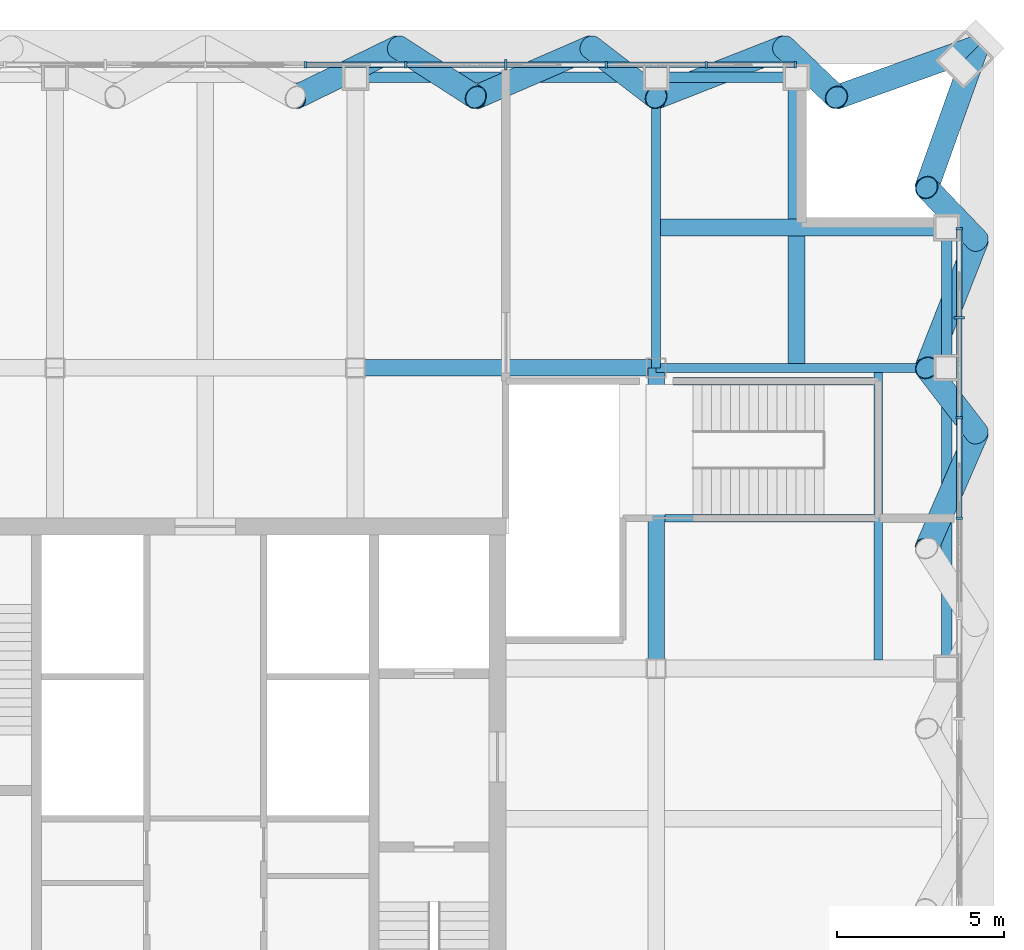
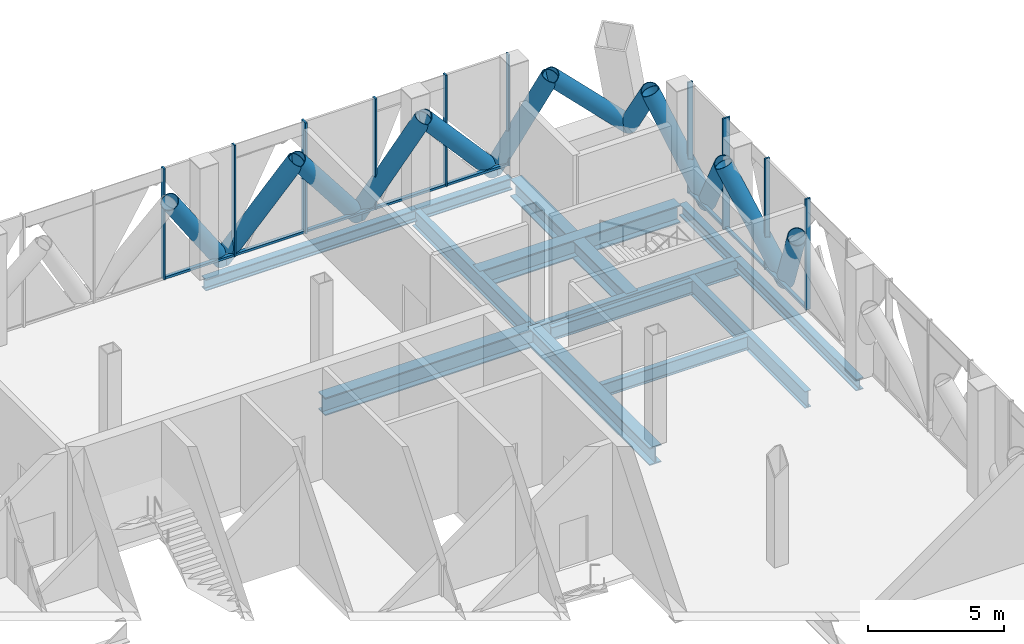
# One storey, part 12 of 27: 30 members, 13 beams, 2 elements without a shape of their own.
"""IFC4 building model written with IfcOpenShell, lengths in metres."""

from ifc_helpers import new_model, si_unit, direction, frame, origin, origin_2d, place, context, subcontext, project, spatial, rectangle, hollow_circle, i_section, extrude, material, layer, layer_set, material_profile, profile_set, type_object, element, aggregate, save


model = new_model("IFC4")

# Units and contexts
model_context = context("Model", 3, precision=1e-05, world=origin(), true_north=direction((0.0, 1.0)))
body_context = subcontext(model_context, "Body", "Model", "MODEL_VIEW")
ifc_project = project(units=[si_unit("LENGTHUNIT", "METRE"), si_unit("AREAUNIT", "SQUARE_METRE"), si_unit("VOLUMEUNIT", "CUBIC_METRE"), si_unit("PLANEANGLEUNIT", "RADIAN"), si_unit("MASSUNIT", "GRAM", prefix="KILO")], contexts=[model_context])

# Site, building, storey
site_placement = place(None, origin())
site = spatial("IfcSite", under=ifc_project, at=site_placement, CompositionType="ELEMENT")
building_placement = place(site_placement, origin())
building = spatial("IfcBuilding", under=site, at=building_placement, Name="Malebo Sky Hospital", CompositionType="ELEMENT")
storey_placement = place(building_placement, frame((0.0, 0.0, 245.0)))
storey = spatial("IfcBuildingStorey", under=building, at=storey_placement, Name="L59", CompositionType="ELEMENT", Elevation=245.0)

# Curtain wall, members
ifc_material_1 = material(Name="Anodised aluminium, natural silver", Category="aluminium")
ifc_layer = layer(ifc_material_1, 0.25)
ifc_layer_set = layer_set([ifc_layer], Name="PLANT LOUVRE SCREEN")
curtain_wall_type = type_object("IfcCurtainWallType", Name="PLANT LOUVRE SCREEN", PredefinedType="NOTDEFINED", material=ifc_layer_set)
curtain_wall_1_placement = place(storey_placement, origin())
curtain_wall_1 = element("IfcCurtainWall", 1, at=curtain_wall_1_placement, inside=storey, type_object=curtain_wall_type, Name="PLANT curtain wall N", PredefinedType="NOTDEFINED")
ifc_material_profile_1 = material_profile(ifc_material_1, rectangle(XDim=0.14990234375, YDim=0.10009765625, at=origin_2d()), Name="ALUMINIUM TRANSOM 150x100")
ifc_profile_set_1 = profile_set([ifc_material_profile_1], Name="Anodised aluminium, natural silver")
member_type_1 = type_object("IfcMemberType", Name="ALUMINIUM TRANSOM 150x100", PredefinedType="USERDEFINED", material=ifc_profile_set_1)
member_1_placement = place(storey_placement, frame((63.03759765625, 84.574951171875, 0.050048828125), z_axis=(1.0, 0.0, 0.0), x_axis=(0.0, 1.0, 0.0)))
member_1 = element("IfcMember", 2, at=member_1_placement, type_object=member_type_1, Name="Transom 8", ObjectType="TRANSOM", PredefinedType="USERDEFINED", context=body_context, shape_type="SweptSolid", body=[
    extrude(rectangle(XDim=0.14990234375, YDim=0.10009765625, at=origin_2d()), origin(), (0.0, 0.0, 1.0), 2.9248046875),
])
member_2_placement = place(storey_placement, frame((66.03759765625, 84.574951171875, 0.050048828125), z_axis=(1.0, 0.0, 0.0), x_axis=(0.0, 1.0, 0.0)))
member_2 = element("IfcMember", 3, at=member_2_placement, type_object=member_type_1, Name="Transom 9", ObjectType="TRANSOM", PredefinedType="USERDEFINED", context=body_context, shape_type="SweptSolid", body=[
    extrude(rectangle(XDim=0.14990234375, YDim=0.10009765625, at=origin_2d()), origin(), (0.0, 0.0, 1.0), 2.9248046875),
])
member_3_placement = place(storey_placement, frame((69.03759765625, 84.574951171875, 0.050048828125), z_axis=(1.0, 0.0, 0.0), x_axis=(0.0, 1.0, 0.0)))
member_3 = element("IfcMember", 4, at=member_3_placement, type_object=member_type_1, Name="Transom 10", ObjectType="TRANSOM", PredefinedType="USERDEFINED", context=body_context, shape_type="SweptSolid", body=[
    extrude(rectangle(XDim=0.14990234375, YDim=0.10009765625, at=origin_2d()), origin(), (0.0, 0.0, 1.0), 2.9248046875),
])
member_4_placement = place(storey_placement, frame((72.03759765625, 84.574951171875, 0.050048828125), z_axis=(1.0, 0.0, 0.0), x_axis=(0.0, 1.0, 0.0)))
member_4 = element("IfcMember", 5, at=member_4_placement, type_object=member_type_1, Name="Transom 11", ObjectType="TRANSOM", PredefinedType="USERDEFINED", context=body_context, shape_type="SweptSolid", body=[
    extrude(rectangle(XDim=0.14990234375, YDim=0.10009765625, at=origin_2d()), origin(), (0.0, 0.0, 1.0), 2.9248046875),
])
member_5_placement = place(storey_placement, frame((75.03759765625, 84.574951171875, 0.050048828125), z_axis=(1.0, 0.0, 0.0), x_axis=(0.0, 1.0, 0.0)))
member_5 = element("IfcMember", 6, at=member_5_placement, type_object=member_type_1, Name="Transom 12", ObjectType="TRANSOM", PredefinedType="USERDEFINED", context=body_context, shape_type="SweptSolid", body=[
    extrude(rectangle(XDim=0.14990234375, YDim=0.10009765625, at=origin_2d()), origin(), (0.0, 0.0, 1.0), 2.58740234375),
])

curtain_wall_2_placement = place(storey_placement, origin())
curtain_wall_2 = element("IfcCurtainWall", 7, at=curtain_wall_2_placement, inside=storey, type_object=curtain_wall_type, Name="PLANT curtain wall E", PredefinedType="NOTDEFINED")
member_6_placement = place(storey_placement, frame((82.574951171875, 79.625, 0.050048828125), z_axis=(0.0, -1.0, 0.0), x_axis=(1.0, 0.0, 0.0)))
member_6 = element("IfcMember", 8, at=member_6_placement, type_object=member_type_1, Name="Transom 1", ObjectType="TRANSOM", PredefinedType="USERDEFINED", context=body_context, shape_type="SweptSolid", body=[
    extrude(rectangle(XDim=0.14990234375, YDim=0.10009765625, at=origin_2d()), origin(), (0.0, 0.0, 1.0), 2.58740234375),
])
member_7_placement = place(storey_placement, frame((82.574951171875, 76.96240234375, 0.050048828125), z_axis=(0.0, -1.0, 0.0), x_axis=(1.0, 0.0, 0.0)))
member_7 = element("IfcMember", 9, at=member_7_placement, type_object=member_type_1, Name="Transom 2", ObjectType="TRANSOM", PredefinedType="USERDEFINED", context=body_context, shape_type="SweptSolid", body=[
    extrude(rectangle(XDim=0.14990234375, YDim=0.10009765625, at=origin_2d()), origin(), (0.0, 0.0, 1.0), 2.9248046875),
])
member_8_placement = place(storey_placement, frame((82.574951171875, 73.96240234375, 0.050048828125), z_axis=(0.0, -1.0, 0.0), x_axis=(1.0, 0.0, 0.0)))
member_8 = element("IfcMember", 10, at=member_8_placement, type_object=member_type_1, Name="Transom 3", ObjectType="TRANSOM", PredefinedType="USERDEFINED", context=body_context, shape_type="SweptSolid", body=[
    extrude(rectangle(XDim=0.14990234375, YDim=0.10009765625, at=origin_2d()), origin(), (0.0, 0.0, 1.0), 2.9248046875),
])

# Members
ifc_material_2 = material(Name="Steel S460", Category="steel")
ifc_material_profile_2 = material_profile(ifc_material_2, hollow_circle(Radius=0.35546875, WallThickness=0.02490234375, at=origin_2d()), Name="CHS 711x25")
ifc_profile_set_2 = profile_set([ifc_material_profile_2], Name="Steel S460")
member_type_2 = type_object("IfcMemberType", Name="BELT TRUSS DIAGONAL CHS 711x25", PredefinedType="BRACE", material=ifc_profile_set_2)
member_9_placement = place(storey_placement, frame((83.10009765625, 85.10009765625, -0.39990234375), z_axis=(-0.659245717391, -0.235433950689, 0.714118994961), x_axis=(0.336322526194, -0.941746865338, 0.0)))
element("IfcMember", 11, at=member_9_placement, inside=storey, type_object=member_type_2, Name="Belt truss diagonal N1.1 L59", PredefinedType="BRACE", context=body_context, shape_type="SweptSolid", body=[
    extrude(hollow_circle(Radius=0.35546875, WallThickness=0.02490234375, at=origin_2d()), origin(), (0.0, 0.0, 1.0), 6.37109375),
])
member_10_placement = place(storey_placement, frame((78.89990234375, 83.60009765625, 4.14990234375), z_axis=(-0.312308438875, 0.297445829863, -0.90221362066), x_axis=(-0.689666384023, -0.724127253146, 0.0)))
element("IfcMember", 12, at=member_10_placement, inside=storey, type_object=member_type_2, Name="Belt truss diagonal N1.2 L59", PredefinedType="BRACE", context=body_context, shape_type="SweptSolid", body=[
    extrude(hollow_circle(Radius=0.35546875, WallThickness=0.02490234375, at=origin_2d()), origin(), (0.0, 0.0, 1.0), 5.04296875),
])
member_11_placement = place(storey_placement, frame((77.324951171875, 85.10009765625, -0.39990234375), z_axis=(-0.623938635295, -0.244684941294, 0.742179128573), x_axis=(0.365091568196, -0.930971614408, 0.0)))
element("IfcMember", 13, at=member_11_placement, inside=storey, type_object=member_type_2, Name="Belt truss diagonal N2.1 L59", PredefinedType="BRACE", context=body_context, shape_type="SweptSolid", body=[
    extrude(hollow_circle(Radius=0.35546875, WallThickness=0.02490234375, at=origin_2d()), origin(), (0.0, 0.0, 1.0), 6.13037109375),
])
member_12_placement = place(storey_placement, frame((73.5, 83.60009765625, 4.14990234375), z_axis=(-0.376996423186, 0.290004510336, -0.879642587015), x_axis=(-0.609720352615, -0.792616610731, 0.0)))
element("IfcMember", 14, at=member_12_placement, inside=storey, type_object=member_type_2, Name="Belt truss diagonal N2.2 L59", PredefinedType="BRACE", context=body_context, shape_type="SweptSolid", body=[
    extrude(hollow_circle(Radius=0.35546875, WallThickness=0.02490234375, at=origin_2d()), origin(), (0.0, 0.0, 1.0), 5.17236328125),
])
member_13_placement = place(storey_placement, frame((71.550048828125, 85.10009765625, -0.39990234375), z_axis=(-0.584377622099, -0.254080823026, 0.770678746405), x_axis=(0.398730857498, -0.917067992724, 0.0)))
element("IfcMember", 15, at=member_13_placement, inside=storey, type_object=member_type_2, Name="Belt truss diagonal N3.1 L59", PredefinedType="BRACE", context=body_context, shape_type="SweptSolid", body=[
    extrude(hollow_circle(Radius=0.35546875, WallThickness=0.02490234375, at=origin_2d()), origin(), (0.0, 0.0, 1.0), 5.903564453125),
])
member_14_placement = place(storey_placement, frame((68.10009765625, 83.60009765625, 4.14990234375), z_axis=(-0.436643839632, 0.281682040183, -0.854398844539), x_axis=(-0.542094714499, -0.840317392723, 0.0)))
element("IfcMember", 16, at=member_14_placement, inside=storey, type_object=member_type_2, Name="Belt truss diagonal N3.2 L59", PredefinedType="BRACE", context=body_context, shape_type="SweptSolid", body=[
    extrude(hollow_circle(Radius=0.35546875, WallThickness=0.02490234375, at=origin_2d()), origin(), (0.0, 0.0, 1.0), 5.3251953125),
])
member_15_placement = place(storey_placement, frame((65.77490234375, 85.10009765625, -0.39990234375), z_axis=(-0.540163447452, -0.263498548721, 0.799244621414), x_axis=(0.438429255686, -0.898765702371, 0.0)))
element("IfcMember", 17, at=member_15_placement, inside=storey, type_object=member_type_2, Name="Belt truss diagonal N4.1 L59", PredefinedType="BRACE", context=body_context, shape_type="SweptSolid", body=[
    extrude(hollow_circle(Radius=0.35546875, WallThickness=0.02490234375, at=origin_2d()), origin(), (0.0, 0.0, 1.0), 5.692626953125),
])
member_16_placement = place(storey_placement, frame((81.60009765625, 70.10009765625, 4.14990234375), z_axis=(0.254080823026, 0.584377622099, -0.770678746405), x_axis=(-0.917067992724, 0.398730857498, 0.0)))
element("IfcMember", 18, at=member_16_placement, inside=storey, type_object=member_type_2, Name="Belt truss diagonal E6.2 L59", PredefinedType="BRACE", context=body_context, shape_type="SweptSolid", body=[
    extrude(hollow_circle(Radius=0.35546875, WallThickness=0.02490234375, at=origin_2d()), origin(), (0.0, 0.0, 1.0), 5.903564453125),
])
member_17_placement = place(storey_placement, frame((83.10009765625, 73.550048828125, -0.39990234375), z_axis=(-0.290004510336, 0.376996423186, 0.879642587015), x_axis=(-0.792616610731, -0.609720352615, 0.0)))
element("IfcMember", 19, at=member_17_placement, inside=storey, type_object=member_type_2, Name="Belt truss diagonal E7.1 L59", PredefinedType="BRACE", context=body_context, shape_type="SweptSolid", body=[
    extrude(hollow_circle(Radius=0.35546875, WallThickness=0.02490234375, at=origin_2d()), origin(), (0.0, 0.0, 1.0), 5.17236328125),
])
member_18_placement = place(storey_placement, frame((81.60009765625, 75.5, 4.14990234375), z_axis=(0.244684941294, 0.623938635295, -0.742179128573), x_axis=(-0.930971614408, 0.365091568196, 0.0)))
element("IfcMember", 20, at=member_18_placement, inside=storey, type_object=member_type_2, Name="Belt truss diagonal E7.2 L59", PredefinedType="BRACE", context=body_context, shape_type="SweptSolid", body=[
    extrude(hollow_circle(Radius=0.35546875, WallThickness=0.02490234375, at=origin_2d()), origin(), (0.0, 0.0, 1.0), 6.13037109375),
])
member_19_placement = place(storey_placement, frame((83.10009765625, 79.324951171875, -0.39990234375), z_axis=(-0.297445829863, 0.312308438875, 0.90221362066), x_axis=(-0.724127253146, -0.689666384023, 0.0)))
element("IfcMember", 21, at=member_19_placement, inside=storey, type_object=member_type_2, Name="Belt truss diagonal E8.1 L59", PredefinedType="BRACE", context=body_context, shape_type="SweptSolid", body=[
    extrude(hollow_circle(Radius=0.35546875, WallThickness=0.02490234375, at=origin_2d()), origin(), (0.0, 0.0, 1.0), 5.04296875),
])
member_20_placement = place(storey_placement, frame((81.60009765625, 80.89990234375, 4.14990234375), z_axis=(0.235433950689, 0.659245717391, -0.714118994961), x_axis=(-0.941746865338, 0.336322526194, 0.0)))
element("IfcMember", 22, at=member_20_placement, inside=storey, type_object=member_type_2, Name="Belt truss diagonal E8.2 L59", PredefinedType="BRACE", context=body_context, shape_type="SweptSolid", body=[
    extrude(hollow_circle(Radius=0.35546875, WallThickness=0.02490234375, at=origin_2d()), origin(), (0.0, 0.0, 1.0), 6.37109375),
])

# Member
ifc_material_profile_3 = material_profile(ifc_material_1, rectangle(XDim=0.074951171875, YDim=0.199951171875, at=origin_2d()), Name="CW5 ALUMINIUM FIN MULLION 75x200")
ifc_profile_set_3 = profile_set([ifc_material_profile_3], Name="Anodised aluminium, natural silver")
member_type_3 = type_object("IfcMemberType", Name="CW5 ALUMINIUM FIN MULLION 75x200", PredefinedType="MULLION", material=ifc_profile_set_3)
member_21_placement = place(storey_placement, frame((63.0, 84.574951171875, 0.0), z_axis=(0.0, 0.0, 1.0), x_axis=(1.0, 0.0, 0.0)))
member_21 = element("IfcMember", 23, at=member_21_placement, type_object=member_type_3, Name="Fin mullion 8", PredefinedType="MULLION", context=body_context, shape_type="SweptSolid", body=[
    extrude(rectangle(XDim=0.074951171875, YDim=0.199951171875, at=origin_2d()), origin(), (0.0, 0.0, 1.0), 5.0),
])

member_22_placement = place(storey_placement, frame((66.0, 84.574951171875, 0.0), z_axis=(0.0, 0.0, 1.0), x_axis=(1.0, 0.0, 0.0)))
member_22 = element("IfcMember", 24, at=member_22_placement, type_object=member_type_3, Name="Fin mullion 9", PredefinedType="MULLION", context=body_context, shape_type="SweptSolid", body=[
    extrude(rectangle(XDim=0.074951171875, YDim=0.199951171875, at=origin_2d()), origin(), (0.0, 0.0, 1.0), 5.0),
])

member_23_placement = place(storey_placement, frame((72.0, 84.574951171875, 0.0), z_axis=(0.0, 0.0, 1.0), x_axis=(1.0, 0.0, 0.0)))
member_23 = element("IfcMember", 25, at=member_23_placement, type_object=member_type_3, Name="Fin mullion 11", PredefinedType="MULLION", context=body_context, shape_type="SweptSolid", body=[
    extrude(rectangle(XDim=0.074951171875, YDim=0.199951171875, at=origin_2d()), origin(), (0.0, 0.0, 1.0), 5.0),
])

member_24_placement = place(storey_placement, frame((75.0, 84.574951171875, 0.0), z_axis=(0.0, 0.0, 1.0), x_axis=(1.0, 0.0, 0.0)))
member_24 = element("IfcMember", 26, at=member_24_placement, type_object=member_type_3, Name="Fin mullion 12", PredefinedType="MULLION", context=body_context, shape_type="SweptSolid", body=[
    extrude(rectangle(XDim=0.074951171875, YDim=0.199951171875, at=origin_2d()), origin(), (0.0, 0.0, 1.0), 5.0),
])

member_25_placement = place(storey_placement, frame((77.66259765625, 84.574951171875, 0.0), z_axis=(0.0, 0.0, 1.0), x_axis=(1.0, 0.0, 0.0)))
member_25 = element("IfcMember", 27, at=member_25_placement, type_object=member_type_3, Name="Fin mullion 13", PredefinedType="MULLION", context=body_context, shape_type="SweptSolid", body=[
    extrude(rectangle(XDim=0.074951171875, YDim=0.199951171875, at=origin_2d()), origin(), (0.0, 0.0, 1.0), 5.0),
])

member_26_placement = place(storey_placement, frame((82.574951171875, 79.66259765625, 0.0), z_axis=(0.0, 0.0, 1.0), x_axis=(0.0, -1.0, 0.0)))
member_26 = element("IfcMember", 28, at=member_26_placement, type_object=member_type_3, Name="Fin mullion 1", PredefinedType="MULLION", context=body_context, shape_type="SweptSolid", body=[
    extrude(rectangle(XDim=0.074951171875, YDim=0.199951171875, at=origin_2d()), origin(), (0.0, 0.0, 1.0), 5.0),
])

member_27_placement = place(storey_placement, frame((82.574951171875, 74.0, 0.0), z_axis=(0.0, 0.0, 1.0), x_axis=(0.0, -1.0, 0.0)))
member_27 = element("IfcMember", 29, at=member_27_placement, type_object=member_type_3, Name="Fin mullion 3", PredefinedType="MULLION", context=body_context, shape_type="SweptSolid", body=[
    extrude(rectangle(XDim=0.074951171875, YDim=0.199951171875, at=origin_2d()), origin(), (0.0, 0.0, 1.0), 5.0),
])

member_28_placement = place(storey_placement, frame((82.574951171875, 71.0, 0.0), z_axis=(0.0, 0.0, 1.0), x_axis=(0.0, -1.0, 0.0)))
member_28 = element("IfcMember", 30, at=member_28_placement, type_object=member_type_3, Name="Fin mullion 4", PredefinedType="MULLION", context=body_context, shape_type="SweptSolid", body=[
    extrude(rectangle(XDim=0.074951171875, YDim=0.199951171875, at=origin_2d()), origin(), (0.0, 0.0, 1.0), 5.0),
])

ifc_material_profile_4 = material_profile(ifc_material_1, rectangle(XDim=0.074951171875, YDim=0.300048828125, at=origin_2d()), Name="CW5 ALUMINIUM FIN MULLION 75x300")
ifc_profile_set_4 = profile_set([ifc_material_profile_4], Name="Anodised aluminium, natural silver")
member_type_4 = type_object("IfcMemberType", Name="CW5 ALUMINIUM FIN MULLION 75x300", PredefinedType="MULLION", material=ifc_profile_set_4)
member_29_placement = place(storey_placement, frame((69.0, 84.574951171875, 0.0), z_axis=(0.0, 0.0, 1.0), x_axis=(1.0, 0.0, 0.0)))
member_29 = element("IfcMember", 31, at=member_29_placement, type_object=member_type_4, Name="Fin mullion 10", PredefinedType="MULLION", context=body_context, shape_type="SweptSolid", body=[
    extrude(rectangle(XDim=0.074951171875, YDim=0.300048828125, at=origin_2d()), origin(), (0.0, 0.0, 1.0), 5.0),
])

aggregate(curtain_wall_1, [member_21, member_22, member_29, member_23, member_24, member_25, member_1, member_2, member_3, member_4, member_5])

member_30_placement = place(storey_placement, frame((82.574951171875, 77.0, 0.0), z_axis=(0.0, 0.0, 1.0), x_axis=(0.0, -1.0, 0.0)))
member_30 = element("IfcMember", 32, at=member_30_placement, type_object=member_type_4, Name="Fin mullion 2", PredefinedType="MULLION", context=body_context, shape_type="SweptSolid", body=[
    extrude(rectangle(XDim=0.074951171875, YDim=0.300048828125, at=origin_2d()), origin(), (0.0, 0.0, 1.0), 5.0),
])

aggregate(curtain_wall_2, [member_26, member_30, member_27, member_28, member_6, member_7, member_8])

# Beams
ifc_material_3 = material(Name="Steel S355", Category="steel")
ifc_material_profile_5 = material_profile(ifc_material_3, i_section(OverallWidth=0.305908203125, OverallDepth=0.52392578125, WebThickness=0.02099609375, FlangeThickness=0.0400390625, FilletRadius=0.027099609375, at=origin_2d()), Name="HEM 500")
ifc_profile_set_5 = profile_set([ifc_material_profile_5], Name="Steel S355")
beam_type_1 = type_object("IfcBeamType", Name="EDGE BEAM HEM 500", PredefinedType="BEAM", material=ifc_profile_set_5)
beam_1_placement = place(storey_placement, frame((82.199951171875, 66.5, -0.511962890625), z_axis=(0.0, 1.0, 0.0), x_axis=(-1.0, 0.0, 0.0)))
element("IfcBeam", 33, at=beam_1_placement, inside=storey, type_object=beam_type_1, Name="Beam 032 L59", PredefinedType="BEAM", context=body_context, shape_type="SweptSolid", body=[
    extrude(i_section(OverallWidth=0.305908203125, OverallDepth=0.52392578125, WebThickness=0.02099609375, FlangeThickness=0.0400390625, FilletRadius=0.027099609375, at=origin_2d()), origin(), (0.0, 0.0, 1.0), 9.0),
])
beam_2_placement = place(storey_placement, frame((82.199951171875, 75.5, -0.511962890625), z_axis=(0.0, 1.0, 0.0), x_axis=(-1.0, 0.0, 0.0)))
element("IfcBeam", 34, at=beam_2_placement, inside=storey, type_object=beam_type_1, Name="Beam 033 L59", PredefinedType="BEAM", context=body_context, shape_type="SweptSolid", body=[
    extrude(i_section(OverallWidth=0.305908203125, OverallDepth=0.52392578125, WebThickness=0.02099609375, FlangeThickness=0.0400390625, FilletRadius=0.027099609375, at=origin_2d()), origin(), (0.0, 0.0, 1.0), 4.050048828125),
])
beam_3_placement = place(storey_placement, frame((64.5, 84.199951171875, -0.511962890625), z_axis=(1.0, 0.0, 0.0), x_axis=(0.0, 1.0, 0.0)))
element("IfcBeam", 35, at=beam_3_placement, inside=storey, type_object=beam_type_1, Name="Beam 066 L59", PredefinedType="BEAM", context=body_context, shape_type="SweptSolid", body=[
    extrude(i_section(OverallWidth=0.305908203125, OverallDepth=0.52392578125, WebThickness=0.02099609375, FlangeThickness=0.0400390625, FilletRadius=0.027099609375, at=origin_2d()), origin(), (0.0, 0.0, 1.0), 9.0),
])
beam_4_placement = place(storey_placement, frame((73.5, 84.199951171875, -0.511962890625), z_axis=(1.0, 0.0, 0.0), x_axis=(0.0, 1.0, 0.0)))
element("IfcBeam", 36, at=beam_4_placement, inside=storey, type_object=beam_type_1, Name="Beam 067 L59", PredefinedType="BEAM", context=body_context, shape_type="SweptSolid", body=[
    extrude(i_section(OverallWidth=0.305908203125, OverallDepth=0.52392578125, WebThickness=0.02099609375, FlangeThickness=0.0400390625, FilletRadius=0.027099609375, at=origin_2d()), origin(), (0.0, 0.0, 1.0), 4.050048828125),
])
ifc_material_profile_6 = material_profile(ifc_material_3, i_section(OverallWidth=0.219970703125, OverallDepth=0.60009765625, WebThickness=0.011962890625, FlangeThickness=0.01904296875, FilletRadius=0.02392578125, at=origin_2d()), Name="IPE 600")
ifc_profile_set_6 = profile_set([ifc_material_profile_6], Name="Steel S355")
beam_type_2 = type_object("IfcBeamType", Name="FLOOR BEAM IPE 600", PredefinedType="BEAM", material=ifc_profile_set_6)
beam_5_placement = place(storey_placement, frame((73.760009765625, 71.0, -0.550048828125), z_axis=(1.0, 0.0, 0.0), x_axis=(0.0, 1.0, 0.0)))
element("IfcBeam", 37, at=beam_5_placement, inside=storey, type_object=beam_type_2, Name="Beam S3S L59", PredefinedType="BEAM", context=body_context, shape_type="SweptSolid", body=[
    extrude(i_section(OverallWidth=0.219970703125, OverallDepth=0.60009765625, WebThickness=0.011962890625, FlangeThickness=0.01904296875, FilletRadius=0.02392578125, at=origin_2d()), origin(), (0.0, 0.0, 1.0), 6.25),
])
beam_6_placement = place(storey_placement, frame((74.010009765625, 75.10009765625, -0.550048828125), z_axis=(1.0, 0.0, 0.0), x_axis=(0.0, 1.0, 0.0)))
element("IfcBeam", 38, at=beam_6_placement, inside=storey, type_object=beam_type_2, Name="Beam S3N L59", PredefinedType="BEAM", context=body_context, shape_type="SweptSolid", body=[
    extrude(i_section(OverallWidth=0.219970703125, OverallDepth=0.60009765625, WebThickness=0.011962890625, FlangeThickness=0.01904296875, FilletRadius=0.02392578125, at=origin_2d()), origin(), (0.0, 0.0, 1.0), 6.0),
])
ifc_material_profile_7 = material_profile(ifc_material_3, i_section(OverallWidth=0.262939453125, OverallDepth=0.7529296875, WebThickness=0.011474609375, FlangeThickness=0.01708984375, FilletRadius=0.01708984375, at=origin_2d()), Name="IPE 750x137")
ifc_profile_set_7 = profile_set([ifc_material_profile_7], Name="Steel S355")
beam_type_3 = type_object("IfcBeamType", Name="FLOOR BEAM IPE 750x137", PredefinedType="BEAM", material=ifc_profile_set_7)
beam_7_placement = place(storey_placement, frame((80.14990234375, 66.760009765625, -0.62646484375), z_axis=(0.0, 1.0, 0.0), x_axis=(-1.0, 0.0, 0.0)))
element("IfcBeam", 39, at=beam_7_placement, inside=storey, type_object=beam_type_3, Name="Beam S3E L59", PredefinedType="BEAM", context=body_context, shape_type="SweptSolid", body=[
    extrude(i_section(OverallWidth=0.262939453125, OverallDepth=0.7529296875, WebThickness=0.011474609375, FlangeThickness=0.01708984375, FilletRadius=0.01708984375, at=origin_2d()), origin(), (0.0, 0.0, 1.0), 8.60009765625),
])
ifc_material_profile_8 = material_profile(ifc_material_3, i_section(OverallWidth=0.5, OverallDepth=0.800048828125, WebThickness=0.030029296875, FlangeThickness=0.050048828125, at=origin_2d()), Name="PG 800x500x30x50")
ifc_profile_set_8 = profile_set([ifc_material_profile_8], Name="Steel S355")
beam_type_4 = type_object("IfcBeamType", Name="FLOOR BEAM PG 800x500x30x50", PredefinedType="BEAM", material=ifc_profile_set_8)
beam_8_placement = place(storey_placement, frame((73.5, 66.5, -0.64990234375), z_axis=(0.0, 1.0, 0.0), x_axis=(-1.0, 0.0, 0.0)))
element("IfcBeam", 40, at=beam_8_placement, inside=storey, type_object=beam_type_4, Name="Beam 025 L59", PredefinedType="BEAM", context=body_context, shape_type="SweptSolid", body=[
    extrude(i_section(OverallWidth=0.5, OverallDepth=0.800048828125, WebThickness=0.030029296875, FlangeThickness=0.050048828125, at=origin_2d()), origin(), (0.0, 0.0, 1.0), 9.0),
])
beam_9_placement = place(storey_placement, frame((77.699951171875, 75.5, -0.64990234375), z_axis=(0.0, 1.0, 0.0), x_axis=(-1.0, 0.0, 0.0)))
element("IfcBeam", 41, at=beam_9_placement, inside=storey, type_object=beam_type_4, Name="Beam 028 L59", PredefinedType="BEAM", context=body_context, shape_type="SweptSolid", body=[
    extrude(i_section(OverallWidth=0.5, OverallDepth=0.800048828125, WebThickness=0.030029296875, FlangeThickness=0.050048828125, at=origin_2d()), origin(), (0.0, 0.0, 1.0), 8.550048828125),
])
beam_10_placement = place(storey_placement, frame((64.5, 75.5, -0.64990234375), z_axis=(1.0, 0.0, 0.0), x_axis=(0.0, 1.0, 0.0)))
element("IfcBeam", 42, at=beam_10_placement, inside=storey, type_object=beam_type_4, Name="Beam 059 L59", PredefinedType="BEAM", context=body_context, shape_type="SweptSolid", body=[
    extrude(i_section(OverallWidth=0.5, OverallDepth=0.800048828125, WebThickness=0.030029296875, FlangeThickness=0.050048828125, at=origin_2d()), origin(), (0.0, 0.0, 1.0), 9.0),
])
beam_11_placement = place(storey_placement, frame((73.5, 79.699951171875, -0.64990234375), z_axis=(1.0, 0.0, 0.0), x_axis=(0.0, 1.0, 0.0)))
element("IfcBeam", 43, at=beam_11_placement, inside=storey, type_object=beam_type_4, Name="Beam 062 L59", PredefinedType="BEAM", context=body_context, shape_type="SweptSolid", body=[
    extrude(i_section(OverallWidth=0.5, OverallDepth=0.800048828125, WebThickness=0.030029296875, FlangeThickness=0.050048828125, at=origin_2d()), origin(), (0.0, 0.0, 1.0), 8.550048828125),
])
ifc_material_profile_9 = material_profile(ifc_material_3, i_section(OverallWidth=0.26708984375, OverallDepth=0.761962890625, WebThickness=0.014404296875, FlangeThickness=0.021484375, FilletRadius=0.01708984375, at=origin_2d()), Name="IPE 750x173")
ifc_profile_set_9 = profile_set([ifc_material_profile_9], Name="Steel S355")
beam_type_5 = type_object("IfcBeamType", Name="FLOOR GIRDER IPE 750x173", PredefinedType="BEAM", material=ifc_profile_set_9)
for number, where, z_axis, x_axis, name in (
    (44, (73.5, 75.5, -0.631103515625), (0.0, 1.0, 0.0), (-1.0, 0.0, 0.0), "Beam 026 L59"),
    (45, (73.5, 75.5, -0.631103515625), (1.0, 0.0, 0.0), (0.0, 1.0, 0.0), "Beam 060 L59"),
):
    element("IfcBeam", number, at=place(storey_placement, frame(where, z_axis=z_axis, x_axis=x_axis)), inside=storey, type_object=beam_type_5, Name=name, PredefinedType="BEAM", context=body_context, shape_type="SweptSolid", body=[
        extrude(i_section(OverallWidth=0.26708984375, OverallDepth=0.761962890625, WebThickness=0.014404296875, FlangeThickness=0.021484375, FilletRadius=0.01708984375, at=origin_2d()), origin(), (0.0, 0.0, 1.0), 8.699951171875),
    ])

save(model, "model.ifc")
